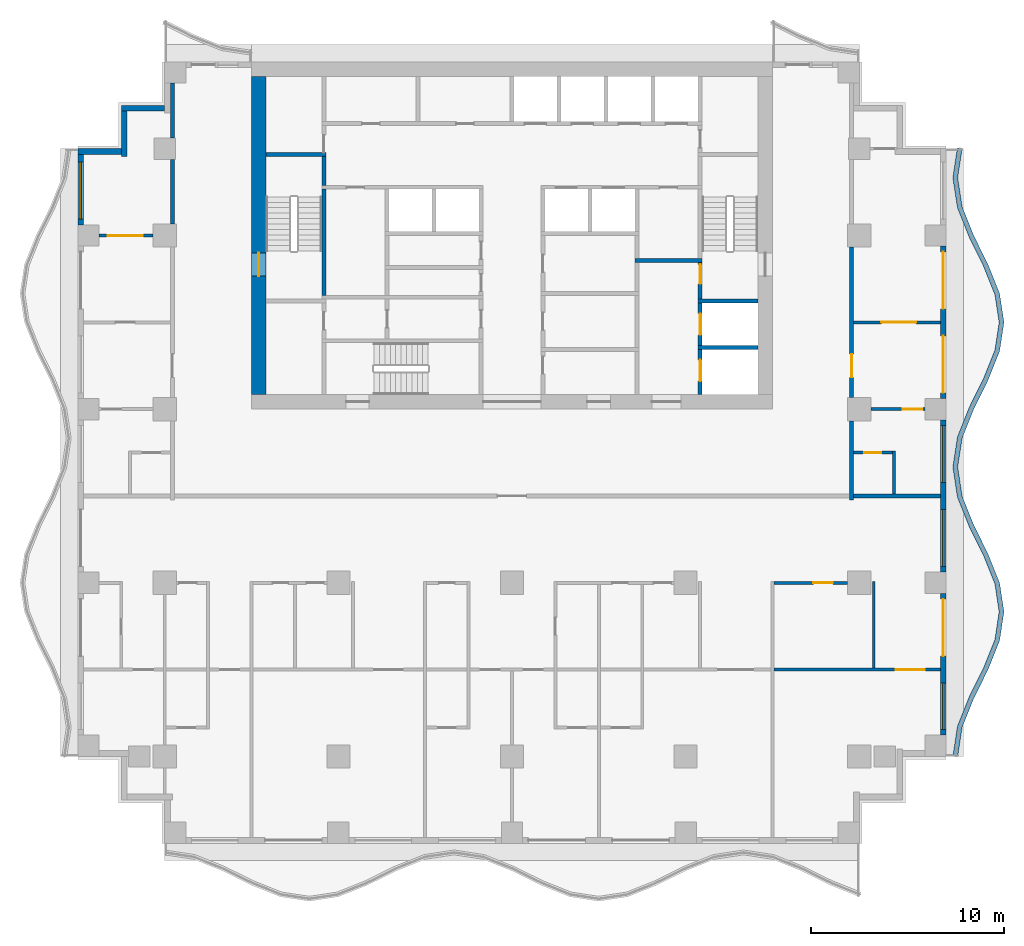
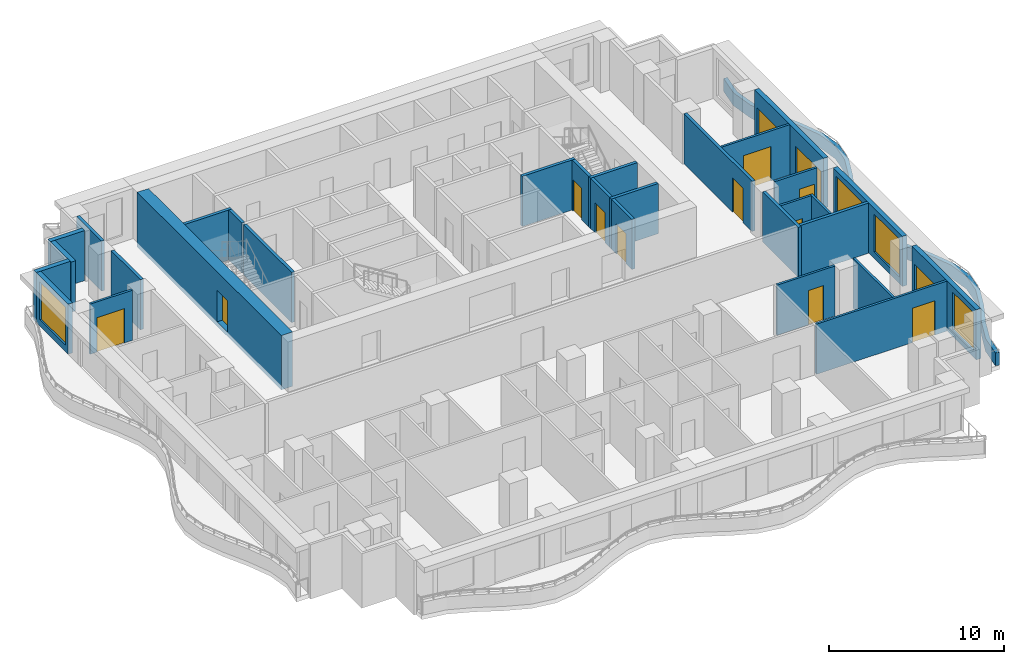
# One storey, part 4 of 10: 31 walls, 14 doors, 4 windows, 18 openings.
"""IFC4 building model written with IfcOpenShell, lengths in metres."""

from ifc_helpers import new_model, si_unit, direction, frame, frame_2d, origin, place, context, subcontext, project, spatial, polyline, rectangle, outline, extrude, material, layer, layer_set, type_object, element, fill, save


model = new_model("IFC4")

# Units and contexts
model_context = context("Model", 3, precision=1e-05, world=origin(), true_north=direction((0.0, 1.0)))
body_context = subcontext(model_context, "Body", "Model", "MODEL_VIEW")
ifc_project = project(units=[si_unit("LENGTHUNIT", "METRE"), si_unit("AREAUNIT", "SQUARE_METRE"), si_unit("VOLUMEUNIT", "CUBIC_METRE"), si_unit("PLANEANGLEUNIT", "RADIAN"), si_unit("MASSUNIT", "GRAM", prefix="KILO")], contexts=[model_context])

# Site, building, storey
site_placement = place(None, origin())
site = spatial("IfcSite", under=ifc_project, at=site_placement, CompositionType="ELEMENT")
building_placement = place(site_placement, origin())
building = spatial("IfcBuilding", under=site, at=building_placement, Name="Orbiselva Terraces", CompositionType="ELEMENT")
storey_placement = place(building_placement, frame((0.0, 0.0, 166.8)))
storey = spatial("IfcBuildingStorey", under=building, at=storey_placement, Name="L42", CompositionType="ELEMENT", Elevation=166.8)

# Wall, opening, door
ifc_material_1 = material(Name="Concrete C80/95", Category="concrete")
ifc_layer_1 = layer(ifc_material_1, 0.75)
ifc_layer_set_1 = layer_set([ifc_layer_1], Name="Concrete C80/95")
wall_type_1 = type_object("IfcWallType", Name="CORE WALL 750", PredefinedType="SHEAR", material=ifc_layer_set_1)
wall_1_placement = place(storey_placement, frame((-13.125, 21.75, -0.3), z_axis=(0.0, 0.0, 1.0), x_axis=(0.0, -1.0, 0.0)))
wall_1 = element("IfcWall", 1, at=wall_1_placement, inside=storey, type_object=wall_type_1, Name="Core wall L42 west", PredefinedType="SHEAR", context=body_context, shape_type="SweptSolid", body=[
    extrude(rectangle(XDim=16.5, YDim=0.75, at=frame_2d((8.25, 0.0))), origin(), (0.0, 0.0, 1.0), 3.8),
])
opening_1_placement = place(wall_1_placement, frame((9.15, 0.0, 0.3)))
opening_1 = element("IfcOpeningElement", 2, at=opening_1_placement, cuts=wall_1, Name="Opening DS1200", PredefinedType="OPENING", context=body_context, shape_type="SweptSolid", body=[
    extrude(rectangle(XDim=1.2, YDim=2.2, at=frame_2d((0.6, 1.1))), frame((0.0, 0.385, 0.0), z_axis=(0.0, -1.0, 0.0), x_axis=(1.0, 0.0, 0.0)), (0.0, 0.0, 1.0), 0.77),
])
ifc_material_2 = material(Name="Steel fire door", Category="steel")
door_type_1 = type_object("IfcDoorType", Name="STAIR DOOR 1200", OperationType="NOTDEFINED", PredefinedType="DOOR", material=ifc_material_2)
door_1_placement = place(opening_1_placement, frame((1.2, 0.0, 0.0), z_axis=(0.0, 0.0, 1.0), x_axis=(-1.0, 0.0, 0.0)))
door_1 = element("IfcDoor", 3, at=door_1_placement, inside=storey, type_object=door_type_1, Name="L42 EXIT STAIR S1 door", OperationType="SINGLE_SWING_RIGHT", OverallHeight=2.2, OverallWidth=1.2, PredefinedType="DOOR", context=body_context, shape_type="SweptSolid", body=[
    extrude(rectangle(XDim=1.2, YDim=2.2, at=frame_2d((0.6, 1.1))), frame((0.0, 0.025, 0.0), z_axis=(0.0, -1.0, 0.0), x_axis=(1.0, 0.0, 0.0)), (0.0, 0.0, 1.0), 0.05),
])
fill(opening_1, door_1)

# Walls
ifc_material_3 = material(Name="Concrete C60/75", Category="concrete")
ifc_layer_2 = layer(ifc_material_3, 0.2)
ifc_layer_set_2 = layer_set([ifc_layer_2], Name="Concrete C60/75")
wall_type_2 = type_object("IfcWallType", Name="CORE-WALL-SHEAR-200", PredefinedType="SHEAR", material=ifc_layer_set_2)
wall_2_placement = place(storey_placement, frame((-12.75, 17.7, 0.0), z_axis=(0.0, 0.0, 1.0), x_axis=(1.0, 0.0, 0.0)))
element("IfcWall", 4, at=wall_2_placement, inside=storey, type_object=wall_type_2, Name="L42 core wall 02", PredefinedType="SHEAR", context=body_context, shape_type="SweptSolid", body=[
    extrude(rectangle(XDim=3.1, YDim=0.2, at=frame_2d((1.55, 0.0))), origin(), (0.0, 0.0, 1.0), 3.5),
])
wall_3_placement = place(storey_placement, frame((-9.75, 10.4, 0.0), z_axis=(0.0, 0.0, 1.0), x_axis=(0.0, 1.0, 0.0)))
element("IfcWall", 5, at=wall_3_placement, inside=storey, type_object=wall_type_2, Name="L42 core wall 07", PredefinedType="SHEAR", context=body_context, shape_type="SweptSolid", body=[
    extrude(rectangle(XDim=5.5, YDim=0.2, at=frame_2d((2.75, 0.0))), origin(), (0.0, 0.0, 1.0), 3.5),
])
wall_4_placement = place(storey_placement, frame((-9.75, 16.1, 0.0), z_axis=(0.0, 0.0, 1.0), x_axis=(0.0, 1.0, 0.0)))
element("IfcWall", 6, at=wall_4_placement, inside=storey, type_object=wall_type_2, Name="L42 core wall 09", PredefinedType="SHEAR", context=body_context, shape_type="SweptSolid", body=[
    extrude(rectangle(XDim=1.5, YDim=0.2, at=frame_2d((0.75, 0.0))), origin(), (0.0, 0.0, 1.0), 3.5),
])
wall_5_placement = place(storey_placement, frame((6.375, 12.2, 0.0), z_axis=(0.0, 0.0, 1.0), x_axis=(1.0, 0.0, 0.0)))
element("IfcWall", 7, at=wall_5_placement, inside=storey, type_object=wall_type_2, Name="L42 core wall 41", PredefinedType="SHEAR", context=body_context, shape_type="SweptSolid", body=[
    extrude(rectangle(XDim=3.475, YDim=0.2, at=frame_2d((1.7375, 0.0))), origin(), (0.0, 0.0, 1.0), 3.5),
])

# Wall, opening, door
wall_6_placement = place(storey_placement, frame((9.75, 5.25, 0.0), z_axis=(0.0, 0.0, 1.0), x_axis=(0.0, 1.0, 0.0)))
wall_6 = element("IfcWall", 8, at=wall_6_placement, inside=storey, type_object=wall_type_2, Name="L42 core wall 45", PredefinedType="SHEAR", context=body_context, shape_type="SweptSolid", body=[
    extrude(rectangle(XDim=2.35, YDim=0.2, at=frame_2d((1.175, 0.0))), origin(), (0.0, 0.0, 1.0), 3.5),
])
opening_2_placement = place(wall_6_placement, frame((0.7, 0.0, 0.0)))
opening_2 = element("IfcOpeningElement", 9, at=opening_2_placement, cuts=wall_6, Name="Opening LD-FF1", PredefinedType="OPENING", context=body_context, shape_type="SweptSolid", body=[
    extrude(rectangle(XDim=1.1, YDim=2.1, at=frame_2d((0.55, 1.05))), frame((0.0, 0.11, 0.0), z_axis=(0.0, -1.0, 0.0), x_axis=(1.0, 0.0, 0.0)), (0.0, 0.0, 1.0), 0.22),
])
ifc_material_4 = material(Name="Stainless steel landing door", Category="steel")
door_type_2 = type_object("IfcDoorType", Name="LANDING DOOR 1100", OperationType="SLIDING_TO_LEFT", PredefinedType="DOOR", material=ifc_material_4)
door_2_placement = place(opening_2_placement, origin())
door_2 = element("IfcDoor", 10, at=door_2_placement, inside=storey, type_object=door_type_2, Name="L42 landing door FF1", OperationType="SLIDING_TO_RIGHT", OverallHeight=2.1, OverallWidth=1.1, PredefinedType="DOOR", context=body_context, shape_type="SweptSolid", body=[
    extrude(rectangle(XDim=1.1, YDim=2.1, at=frame_2d((0.55, 1.05))), frame((0.0, 0.025, 0.0), z_axis=(0.0, -1.0, 0.0), x_axis=(1.0, 0.0, 0.0)), (0.0, 0.0, 1.0), 0.05),
])
fill(opening_2, door_2)

# Wall
wall_7_placement = place(storey_placement, frame((9.65, 7.7, 0.0), z_axis=(0.0, 0.0, 1.0), x_axis=(1.0, 0.0, 0.0)))
element("IfcWall", 11, at=wall_7_placement, inside=storey, type_object=wall_type_2, Name="L42 core wall 46", PredefinedType="SHEAR", context=body_context, shape_type="SweptSolid", body=[
    extrude(rectangle(XDim=3.1, YDim=0.2, at=frame_2d((1.55, 0.0))), origin(), (0.0, 0.0, 1.0), 3.5),
])

# Wall, opening, door
wall_8_placement = place(storey_placement, frame((9.75, 7.8, 0.0), z_axis=(0.0, 0.0, 1.0), x_axis=(0.0, 1.0, 0.0)))
wall_8 = element("IfcWall", 12, at=wall_8_placement, inside=storey, type_object=wall_type_2, Name="L42 core wall 47", PredefinedType="SHEAR", context=body_context, shape_type="SweptSolid", body=[
    extrude(rectangle(XDim=2.2, YDim=0.2, at=frame_2d((1.1, 0.0))), origin(), (0.0, 0.0, 1.0), 3.5),
])
opening_3_placement = place(wall_8_placement, frame((0.55, 0.0, 0.0)))
opening_3 = element("IfcOpeningElement", 13, at=opening_3_placement, cuts=wall_8, Name="Opening LD-FF2", PredefinedType="OPENING", context=body_context, shape_type="SweptSolid", body=[
    extrude(rectangle(XDim=1.1, YDim=2.1, at=frame_2d((0.55, 1.05))), frame((0.0, 0.11, 0.0), z_axis=(0.0, -1.0, 0.0), x_axis=(1.0, 0.0, 0.0)), (0.0, 0.0, 1.0), 0.22),
])
door_3_placement = place(opening_3_placement, origin())
door_3 = element("IfcDoor", 14, at=door_3_placement, inside=storey, type_object=door_type_2, Name="L42 landing door FF2", OperationType="SLIDING_TO_RIGHT", OverallHeight=2.1, OverallWidth=1.1, PredefinedType="DOOR", context=body_context, shape_type="SweptSolid", body=[
    extrude(rectangle(XDim=1.1, YDim=2.1, at=frame_2d((0.55, 1.05))), frame((0.0, 0.025, 0.0), z_axis=(0.0, -1.0, 0.0), x_axis=(1.0, 0.0, 0.0)), (0.0, 0.0, 1.0), 0.05),
])
fill(opening_3, door_3)

# Wall
wall_9_placement = place(storey_placement, frame((9.65, 10.1, 0.0), z_axis=(0.0, 0.0, 1.0), x_axis=(1.0, 0.0, 0.0)))
element("IfcWall", 15, at=wall_9_placement, inside=storey, type_object=wall_type_2, Name="L42 core wall 48", PredefinedType="SHEAR", context=body_context, shape_type="SweptSolid", body=[
    extrude(rectangle(XDim=3.1, YDim=0.2, at=frame_2d((1.55, 0.0))), origin(), (0.0, 0.0, 1.0), 3.5),
])

# Wall, opening, door
wall_10_placement = place(storey_placement, frame((9.75, 12.1, 0.0), z_axis=(0.0, 0.0, 1.0), x_axis=(0.0, -1.0, 0.0)))
wall_10 = element("IfcWall", 16, at=wall_10_placement, inside=storey, type_object=wall_type_2, Name="L42 core wall 49", PredefinedType="SHEAR", context=body_context, shape_type="SweptSolid", body=[
    extrude(rectangle(XDim=1.9, YDim=0.2, at=frame_2d((0.95, 0.0))), origin(), (0.0, 0.0, 1.0), 3.5),
])
opening_4_placement = place(wall_10_placement, frame((0.1, 0.0, 0.0)))
opening_4 = element("IfcOpeningElement", 17, at=opening_4_placement, cuts=wall_10, Name="Opening DS1000", PredefinedType="OPENING", context=body_context, shape_type="SweptSolid", body=[
    extrude(rectangle(XDim=1.0, YDim=2.2, at=frame_2d((0.5, 1.1))), frame((0.0, 0.11, 0.0), z_axis=(0.0, -1.0, 0.0), x_axis=(1.0, 0.0, 0.0)), (0.0, 0.0, 1.0), 0.22),
])
door_type_3 = type_object("IfcDoorType", Name="STAIR DOOR 1000", OperationType="NOTDEFINED", PredefinedType="DOOR", material=ifc_material_2)
door_4_placement = place(opening_4_placement, origin())
door_4 = element("IfcDoor", 18, at=door_4_placement, inside=storey, type_object=door_type_3, Name="L42 FIRE-FIGHTING LOBBY TO EXIT STAIR S2 door", OperationType="SINGLE_SWING_LEFT", OverallHeight=2.2, OverallWidth=1.0, PredefinedType="DOOR", context=body_context, shape_type="SweptSolid", body=[
    extrude(rectangle(XDim=1.0, YDim=2.2, at=frame_2d((0.5, 1.1))), frame((0.0, 0.025, 0.0), z_axis=(0.0, -1.0, 0.0), x_axis=(1.0, 0.0, 0.0)), (0.0, 0.0, 1.0), 0.05),
])
fill(opening_4, door_4)

# Wall
ifc_material_5 = material(Name="Concrete C40/50", Category="concrete")
ifc_layer_3 = layer(ifc_material_5, 0.25)
ifc_layer_set_3 = layer_set([ifc_layer_3], Name="Concrete C40/50")
wall_type_3 = type_object("IfcWallType", Name="ENV-PLANTER-250x900", PredefinedType="USERDEFINED", material=ifc_layer_set_3)
wall_11_placement = place(storey_placement, origin())
element("IfcWall", 19, at=wall_11_placement, inside=storey, type_object=wall_type_3, Name="Balcony planter L42 E", ObjectType="PLANTER", PredefinedType="USERDEFINED", context=body_context, shape_type="SweptSolid", body=[
    extrude(outline(polyline([(23.1, -13.5), (23.32918, -12.0), (23.92918, -10.5), (24.67082, -9.0), (25.27082, -7.5), (25.5, -6.0), (25.27082, -4.5), (24.67082, -3.0), (23.92918, -1.5), (23.32918, 0.0), (23.1, 1.5), (23.32918, 3.0), (23.92918, 4.5), (24.67082, 6.0), (25.27082, 7.5), (25.5, 9.0), (25.27082, 10.5), (24.67082, 12.0), (23.92918, 13.5), (23.32918, 15.0), (23.1, 16.5), (23.32918, 18.0), (23.082048, 18.037758), (22.847099, 16.5), (23.086388, 14.933834), (23.700715, 13.398017), (24.442355, 11.898017), (25.028028, 10.433834), (25.247099, 9.0), (25.028028, 7.566166), (24.442355, 6.101983), (23.700715, 4.601983), (23.086388, 3.066166), (22.847099, 1.5), (23.086388, -0.066166), (23.700715, -1.601983), (24.442355, -3.101983), (25.028028, -4.566166), (25.247099, -6.0), (25.028028, -7.433834), (24.442355, -8.898017), (23.700715, -10.398017), (23.086388, -11.933834), (22.852868, -13.462242), (23.1, -13.5)])), origin(), (0.0, 0.0, 1.0), 0.9),
])

# Wall, openings, door, window
ifc_material_6 = material(Name="Terracotta cladding on masonry backing", Category="masonry")
ifc_layer_4 = layer(ifc_material_6, 0.3)
ifc_layer_set_4 = layer_set([ifc_layer_4], Name="Terracotta cladding on masonry backing")
wall_type_4 = type_object("IfcWallType", Name="ENV-WALL-TERRACOTTA-300", PredefinedType="SOLIDWALL", material=ifc_layer_set_4)
wall_12_placement = place(storey_placement, frame((22.35, -5.05, 0.0), z_axis=(0.0, 0.0, 1.0), x_axis=(0.0, -1.0, 0.0)))
wall_12 = element("IfcWall", 20, at=wall_12_placement, inside=storey, type_object=wall_type_4, Name="Facade wall L42 E", PredefinedType="SOLIDWALL", context=body_context, shape_type="SweptSolid", body=[
    extrude(rectangle(XDim=7.35, YDim=0.3, at=frame_2d((3.675, 0.0))), origin(), (0.0, 0.0, 1.0), 3.5),
])
opening_5_placement = place(wall_12_placement, frame((4.65, 0.0, 0.45)))
opening_5 = element("IfcOpeningElement", 21, at=opening_5_placement, cuts=wall_12, Name="Opening WN11", PredefinedType="OPENING", context=body_context, shape_type="SweptSolid", body=[
    extrude(rectangle(XDim=2.4, YDim=2.65, at=frame_2d((1.2, 1.325))), frame((0.0, 0.16, 0.0), z_axis=(0.0, -1.0, 0.0), x_axis=(1.0, 0.0, 0.0)), (0.0, 0.0, 1.0), 0.32),
])
opening_6_placement = place(wall_12_placement, frame((0.3, 0.0, 0.0)))
opening_6 = element("IfcOpeningElement", 22, at=opening_6_placement, cuts=wall_12, Name="Opening Z3-E-E04", PredefinedType="OPENING", context=body_context, shape_type="SweptSolid", body=[
    extrude(rectangle(XDim=2.95, YDim=2.4, at=frame_2d((1.475, 1.2))), frame((0.0, 0.16, 0.0), z_axis=(0.0, -1.0, 0.0), x_axis=(1.0, 0.0, 0.0)), (0.0, 0.0, 1.0), 0.32),
])
ifc_material_7 = material(Name="Clear low-e glazing in aluminium frame", Category="aluminium")
door_type_4 = type_object("IfcDoorType", Name="BALCONY DOOR 2950 X 2400", OperationType="DOUBLE_DOOR_SLIDING", PredefinedType="DOOR", material=ifc_material_7)
door_5_placement = place(opening_6_placement, origin())
door_5 = element("IfcDoor", 23, at=door_5_placement, inside=storey, type_object=door_type_4, Name="Z3-E-E04", OperationType="SINGLE_SWING_LEFT", OverallHeight=2.4, OverallWidth=2.95, PredefinedType="DOOR", context=body_context, shape_type="SweptSolid", body=[
    extrude(rectangle(XDim=2.95, YDim=2.4, at=frame_2d((1.475, 1.2))), frame((0.0, 0.025, 0.0), z_axis=(0.0, -1.0, 0.0), x_axis=(1.0, 0.0, 0.0)), (0.0, 0.0, 1.0), 0.05),
])
fill(opening_6, door_5)
window_type_1 = type_object("IfcWindowType", Name="WINDOW 2400 X 2650 S450", PartitioningType="TRIPLE_PANEL_VERTICAL", PredefinedType="WINDOW", material=ifc_material_7)
window_1_placement = place(opening_5_placement, origin())
window_1 = element("IfcWindow", 24, at=window_1_placement, inside=storey, type_object=window_type_1, Name="Window L42 E", OverallHeight=2.65, OverallWidth=2.4, PartitioningType="SINGLE_PANEL", PredefinedType="WINDOW", context=body_context, shape_type="SweptSolid", body=[
    extrude(rectangle(XDim=2.4, YDim=2.65, at=frame_2d((1.2, 1.325))), frame((0.0, 0.03, 0.0), z_axis=(0.0, -1.0, 0.0), x_axis=(1.0, 0.0, 0.0)), (0.0, 0.0, 1.0), 0.06),
])
fill(opening_5, window_1)

# Wall, openings, windows
wall_13_placement = place(storey_placement, frame((22.35, 3.95, 0.0), z_axis=(0.0, 0.0, 1.0), x_axis=(0.0, -1.0, 0.0)))
wall_13 = element("IfcWall", 25, at=wall_13_placement, inside=storey, type_object=wall_type_4, Name="Facade wall L42 E", PredefinedType="SOLIDWALL", context=body_context, shape_type="SweptSolid", body=[
    extrude(rectangle(XDim=7.9, YDim=0.3, at=frame_2d((3.95, 0.0))), origin(), (0.0, 0.0, 1.0), 3.5),
])
opening_7_placement = place(wall_13_placement, frame((4.65, 0.0, 0.45)))
opening_7 = element("IfcOpeningElement", 26, at=opening_7_placement, cuts=wall_13, Name="Opening WN12", PredefinedType="OPENING", context=body_context, shape_type="SweptSolid", body=[
    extrude(rectangle(XDim=2.95, YDim=2.65, at=frame_2d((1.475, 1.325))), frame((0.0, 0.16, 0.0), z_axis=(0.0, -1.0, 0.0), x_axis=(1.0, 0.0, 0.0)), (0.0, 0.0, 1.0), 0.32),
])
opening_8_placement = place(wall_13_placement, frame((0.3, 0.0, 0.45)))
opening_8 = element("IfcOpeningElement", 27, at=opening_8_placement, cuts=wall_13, Name="Opening WN12", PredefinedType="OPENING", context=body_context, shape_type="SweptSolid", body=[
    extrude(rectangle(XDim=2.95, YDim=2.65, at=frame_2d((1.475, 1.325))), frame((0.0, 0.16, 0.0), z_axis=(0.0, -1.0, 0.0), x_axis=(1.0, 0.0, 0.0)), (0.0, 0.0, 1.0), 0.32),
])
window_type_2 = type_object("IfcWindowType", Name="WINDOW 2950 X 2650 S450", PartitioningType="TRIPLE_PANEL_VERTICAL", PredefinedType="WINDOW", material=ifc_material_7)
window_2_placement = place(opening_7_placement, origin())
window_2 = element("IfcWindow", 28, at=window_2_placement, inside=storey, type_object=window_type_2, Name="Window L42 E", OverallHeight=2.65, OverallWidth=2.95, PartitioningType="SINGLE_PANEL", PredefinedType="WINDOW", context=body_context, shape_type="SweptSolid", body=[
    extrude(rectangle(XDim=2.95, YDim=2.65, at=frame_2d((1.475, 1.325))), frame((0.0, 0.03, 0.0), z_axis=(0.0, -1.0, 0.0), x_axis=(1.0, 0.0, 0.0)), (0.0, 0.0, 1.0), 0.06),
])
fill(opening_7, window_2)
window_3_placement = place(opening_8_placement, origin())
window_3 = element("IfcWindow", 29, at=window_3_placement, inside=storey, type_object=window_type_2, Name="Window L42 E", OverallHeight=2.65, OverallWidth=2.95, PartitioningType="SINGLE_PANEL", PredefinedType="WINDOW", context=body_context, shape_type="SweptSolid", body=[
    extrude(rectangle(XDim=2.95, YDim=2.65, at=frame_2d((1.475, 1.325))), frame((0.0, 0.03, 0.0), z_axis=(0.0, -1.0, 0.0), x_axis=(1.0, 0.0, 0.0)), (0.0, 0.0, 1.0), 0.06),
])
fill(opening_8, window_3)

# Wall, openings, doors
wall_14_placement = place(storey_placement, frame((22.35, 12.95, 0.0), z_axis=(0.0, 0.0, 1.0), x_axis=(0.0, -1.0, 0.0)))
wall_14 = element("IfcWall", 30, at=wall_14_placement, inside=storey, type_object=wall_type_4, Name="Facade wall L42 E", PredefinedType="SOLIDWALL", context=body_context, shape_type="SweptSolid", body=[
    extrude(rectangle(XDim=7.9, YDim=0.3, at=frame_2d((3.95, 0.0))), origin(), (0.0, 0.0, 1.0), 3.5),
])
opening_9_placement = place(wall_14_placement, frame((4.65, 0.0, 0.0)))
opening_9 = element("IfcOpeningElement", 31, at=opening_9_placement, cuts=wall_14, Name="Opening Z3-E-E05", PredefinedType="OPENING", context=body_context, shape_type="SweptSolid", body=[
    extrude(rectangle(XDim=2.95, YDim=2.4, at=frame_2d((1.475, 1.2))), frame((0.0, 0.16, 0.0), z_axis=(0.0, -1.0, 0.0), x_axis=(1.0, 0.0, 0.0)), (0.0, 0.0, 1.0), 0.32),
])
opening_10_placement = place(wall_14_placement, frame((0.3, 0.0, 0.0)))
opening_10 = element("IfcOpeningElement", 32, at=opening_10_placement, cuts=wall_14, Name="Opening Z3-E-E06", PredefinedType="OPENING", context=body_context, shape_type="SweptSolid", body=[
    extrude(rectangle(XDim=2.95, YDim=2.4, at=frame_2d((1.475, 1.2))), frame((0.0, 0.16, 0.0), z_axis=(0.0, -1.0, 0.0), x_axis=(1.0, 0.0, 0.0)), (0.0, 0.0, 1.0), 0.32),
])
door_6_placement = place(opening_9_placement, origin())
door_6 = element("IfcDoor", 33, at=door_6_placement, inside=storey, type_object=door_type_4, Name="Z3-E-E05", OperationType="SINGLE_SWING_LEFT", OverallHeight=2.4, OverallWidth=2.95, PredefinedType="DOOR", context=body_context, shape_type="SweptSolid", body=[
    extrude(rectangle(XDim=2.95, YDim=2.4, at=frame_2d((1.475, 1.2))), frame((0.0, 0.025, 0.0), z_axis=(0.0, -1.0, 0.0), x_axis=(1.0, 0.0, 0.0)), (0.0, 0.0, 1.0), 0.05),
])
fill(opening_9, door_6)
door_7_placement = place(opening_10_placement, origin())
door_7 = element("IfcDoor", 34, at=door_7_placement, inside=storey, type_object=door_type_4, Name="Z3-E-E06", OperationType="SINGLE_SWING_LEFT", OverallHeight=2.4, OverallWidth=2.95, PredefinedType="DOOR", context=body_context, shape_type="SweptSolid", body=[
    extrude(rectangle(XDim=2.95, YDim=2.4, at=frame_2d((1.475, 1.2))), frame((0.0, 0.025, 0.0), z_axis=(0.0, -1.0, 0.0), x_axis=(1.0, 0.0, 0.0)), (0.0, 0.0, 1.0), 0.05),
])
fill(opening_10, door_7)

# Walls
wall_15_placement = place(storey_placement, frame((-20.25, 20.1, 0.0), z_axis=(0.0, 0.0, 1.0), x_axis=(1.0, 0.0, 0.0)))
element("IfcWall", 35, at=wall_15_placement, inside=storey, type_object=wall_type_4, Name="Facade wall L42 STEP", PredefinedType="SOLIDWALL", context=body_context, shape_type="SweptSolid", body=[
    extrude(rectangle(XDim=2.25, YDim=0.3, at=frame_2d((1.125, 0.0))), origin(), (0.0, 0.0, 1.0), 3.5),
])
wall_16_placement = place(storey_placement, frame((-20.1, 17.6, 0.0), z_axis=(0.0, 0.0, 1.0), x_axis=(0.0, 1.0, 0.0)))
element("IfcWall", 36, at=wall_16_placement, inside=storey, type_object=wall_type_4, Name="Facade wall L42 STEP", PredefinedType="SOLIDWALL", context=body_context, shape_type="SweptSolid", body=[
    extrude(rectangle(XDim=2.35, YDim=0.3, at=frame_2d((1.175, 0.0))), origin(), (0.0, 0.0, 1.0), 3.5),
])
wall_17_placement = place(storey_placement, frame((-22.5, 17.85, 0.0), z_axis=(0.0, 0.0, 1.0), x_axis=(1.0, 0.0, 0.0)))
element("IfcWall", 37, at=wall_17_placement, inside=storey, type_object=wall_type_4, Name="Facade wall L42 STEP", PredefinedType="SOLIDWALL", context=body_context, shape_type="SweptSolid", body=[
    extrude(rectangle(XDim=2.25, YDim=0.3, at=frame_2d((1.125, 0.0))), origin(), (0.0, 0.0, 1.0), 3.5),
])

# Wall, opening, window
wall_18_placement = place(storey_placement, frame((-22.35, 14.05, 0.0), z_axis=(0.0, 0.0, 1.0), x_axis=(0.0, 1.0, 0.0)))
wall_18 = element("IfcWall", 38, at=wall_18_placement, inside=storey, type_object=wall_type_4, Name="Facade wall L42 W", PredefinedType="SOLIDWALL", context=body_context, shape_type="SweptSolid", body=[
    extrude(rectangle(XDim=3.65, YDim=0.3, at=frame_2d((1.825, 0.0))), origin(), (0.0, 0.0, 1.0), 3.5),
])
opening_11_placement = place(wall_18_placement, frame((0.3, 0.0, 0.45)))
opening_11 = element("IfcOpeningElement", 39, at=opening_11_placement, cuts=wall_18, Name="Opening WN12", PredefinedType="OPENING", context=body_context, shape_type="SweptSolid", body=[
    extrude(rectangle(XDim=2.95, YDim=2.65, at=frame_2d((1.475, 1.325))), frame((0.0, 0.16, 0.0), z_axis=(0.0, -1.0, 0.0), x_axis=(1.0, 0.0, 0.0)), (0.0, 0.0, 1.0), 0.32),
])
window_4_placement = place(opening_11_placement, origin())
window_4 = element("IfcWindow", 40, at=window_4_placement, inside=storey, type_object=window_type_2, Name="Window L42 W", OverallHeight=2.65, OverallWidth=2.95, PartitioningType="SINGLE_PANEL", PredefinedType="WINDOW", context=body_context, shape_type="SweptSolid", body=[
    extrude(rectangle(XDim=2.95, YDim=2.65, at=frame_2d((1.475, 1.325))), frame((0.0, 0.03, 0.0), z_axis=(0.0, -1.0, 0.0), x_axis=(1.0, 0.0, 0.0)), (0.0, 0.0, 1.0), 0.06),
])
fill(opening_11, window_4)

# Walls
ifc_material_8 = material(Name="Plasterboard on steel stud partition", Category="steel")
ifc_layer_5 = layer(ifc_material_8, 0.2)
ifc_layer_set_5 = layer_set([ifc_layer_5], Name="Plasterboard on steel stud partition")
wall_type_5 = type_object("IfcWallType", Name="UNIT-ENTRANCE-WALL-200", PredefinedType="PARTITIONING", material=ifc_layer_set_5)
wall_19_placement = place(storey_placement, frame((-17.6, 14.1, 0.0), z_axis=(0.0, 0.0, 1.0), x_axis=(0.0, 1.0, 0.0)))
element("IfcWall", 41, at=wall_19_placement, inside=storey, type_object=wall_type_5, Name="PARTITION L42-038", PredefinedType="PARTITIONING", context=body_context, shape_type="SweptSolid", body=[
    extrude(rectangle(XDim=3.35, YDim=0.2, at=frame_2d((1.675, 0.0))), origin(), (0.0, 0.0, 1.0), 3.5),
])
wall_20_placement = place(storey_placement, frame((-17.6, 18.55, 0.0), z_axis=(0.0, 0.0, 1.0), x_axis=(0.0, 1.0, 0.0)))
element("IfcWall", 42, at=wall_20_placement, inside=storey, type_object=wall_type_5, Name="PARTITION L42-039", PredefinedType="PARTITIONING", context=body_context, shape_type="SweptSolid", body=[
    extrude(rectangle(XDim=2.85, YDim=0.2, at=frame_2d((1.425, 0.0))), origin(), (0.0, 0.0, 1.0), 3.5),
])
wall_21_placement = place(storey_placement, frame((17.6, -0.2, 0.0), z_axis=(0.0, 0.0, 1.0), x_axis=(0.0, 1.0, 0.0)))
element("IfcWall", 43, at=wall_21_placement, inside=storey, type_object=wall_type_5, Name="PARTITION L42-053", PredefinedType="PARTITIONING", context=body_context, shape_type="SweptSolid", body=[
    extrude(rectangle(XDim=4.1, YDim=0.2, at=frame_2d((2.05, 0.0))), origin(), (0.0, 0.0, 1.0), 3.5),
])

# Wall, opening, door
wall_22_placement = place(storey_placement, frame((17.6, 12.9, 0.0), z_axis=(0.0, 0.0, 1.0), x_axis=(0.0, -1.0, 0.0)))
wall_22 = element("IfcWall", 44, at=wall_22_placement, inside=storey, type_object=wall_type_5, Name="PARTITION L42-054", PredefinedType="PARTITIONING", context=body_context, shape_type="SweptSolid", body=[
    extrude(rectangle(XDim=7.8, YDim=0.2, at=frame_2d((3.9, 0.0))), origin(), (0.0, 0.0, 1.0), 3.5),
])
opening_12_placement = place(wall_22_placement, frame((5.55, 0.0, 0.0)))
opening_12 = element("IfcOpeningElement", 45, at=opening_12_placement, cuts=wall_22, Name="Opening Z3-E-08", PredefinedType="OPENING", context=body_context, shape_type="SweptSolid", body=[
    extrude(rectangle(XDim=1.2, YDim=2.4, at=frame_2d((0.6, 1.2))), frame((0.0, 0.11, 0.0), z_axis=(0.0, -1.0, 0.0), x_axis=(1.0, 0.0, 0.0)), (0.0, 0.0, 1.0), 0.22),
])
ifc_material_9 = material(Name="Painted timber door leaf", Category="wood")
door_type_5 = type_object("IfcDoorType", Name="ENTRANCE DOOR 1200", OperationType="NOTDEFINED", PredefinedType="DOOR", material=ifc_material_9)
door_8_placement = place(opening_12_placement, origin())
door_8 = element("IfcDoor", 46, at=door_8_placement, inside=storey, type_object=door_type_5, Name="Z3-E-08", OperationType="SINGLE_SWING_RIGHT", OverallHeight=2.4, OverallWidth=1.2, PredefinedType="DOOR", context=body_context, shape_type="SweptSolid", body=[
    extrude(rectangle(XDim=1.2, YDim=2.4, at=frame_2d((0.6, 1.2))), frame((0.0, 0.025, 0.0), z_axis=(0.0, -1.0, 0.0), x_axis=(1.0, 0.0, 0.0)), (0.0, 0.0, 1.0), 0.05),
])
fill(opening_12, door_8)

ifc_layer_6 = layer(ifc_material_8, 0.15)
ifc_layer_set_6 = layer_set([ifc_layer_6], Name="Plasterboard on steel stud partition")
wall_type_6 = type_object("IfcWallType", Name="UNIT-PARTITION-150", PredefinedType="PARTITIONING", material=ifc_layer_set_6)
wall_23_placement = place(storey_placement, frame((22.2, -9.0, 0.0), z_axis=(0.0, 0.0, 1.0), x_axis=(-1.0, 0.0, 0.0)))
wall_23 = element("IfcWall", 47, at=wall_23_placement, inside=storey, type_object=wall_type_6, Name="PARTITION L42-014", PredefinedType="PARTITIONING", context=body_context, shape_type="SweptSolid", body=[
    extrude(rectangle(XDim=8.625, YDim=0.15, at=frame_2d((4.3125, 0.0))), origin(), (0.0, 0.0, 1.0), 3.5),
])
opening_13_placement = place(wall_23_placement, frame((0.8, 0.0, 0.0)))
opening_13 = element("IfcOpeningElement", 48, at=opening_13_placement, cuts=wall_23, Name="Opening Z3-E-21", PredefinedType="OPENING", context=body_context, shape_type="SweptSolid", body=[
    extrude(rectangle(XDim=1.5, YDim=2.4, at=frame_2d((0.75, 1.2))), frame((0.0, 0.085, 0.0), z_axis=(0.0, -1.0, 0.0), x_axis=(1.0, 0.0, 0.0)), (0.0, 0.0, 1.0), 0.17),
])
door_type_6 = type_object("IfcDoorType", Name="DOUBLE DOOR 1500", OperationType="NOTDEFINED", PredefinedType="DOOR", material=ifc_material_9)
door_9_placement = place(opening_13_placement, origin())
door_9 = element("IfcDoor", 49, at=door_9_placement, inside=storey, type_object=door_type_6, Name="Z3-E-21", OperationType="DOUBLE_DOOR_SINGLE_SWING", OverallHeight=2.4, OverallWidth=1.5, PredefinedType="DOOR", context=body_context, shape_type="SweptSolid", body=[
    extrude(rectangle(XDim=1.5, YDim=2.4, at=frame_2d((0.75, 1.2))), frame((0.0, 0.025, 0.0), z_axis=(0.0, -1.0, 0.0), x_axis=(1.0, 0.0, 0.0)), (0.0, 0.0, 1.0), 0.05),
])
fill(opening_13, door_9)

wall_24_placement = place(storey_placement, frame((17.4, -4.5, 0.0), z_axis=(0.0, 0.0, 1.0), x_axis=(-1.0, 0.0, 0.0)))
wall_24 = element("IfcWall", 50, at=wall_24_placement, inside=storey, type_object=wall_type_6, Name="PARTITION L42-020", PredefinedType="PARTITIONING", context=body_context, shape_type="SweptSolid", body=[
    extrude(rectangle(XDim=3.825, YDim=0.15, at=frame_2d((1.9125, 0.0))), origin(), (0.0, 0.0, 1.0), 3.5),
])
opening_14_placement = place(wall_24_placement, frame((0.775, 0.0, 0.0)))
opening_14 = element("IfcOpeningElement", 51, at=opening_14_placement, cuts=wall_24, Name="Opening Z3-E-12", PredefinedType="OPENING", context=body_context, shape_type="SweptSolid", body=[
    extrude(rectangle(XDim=1.0, YDim=2.4, at=frame_2d((0.5, 1.2))), frame((0.0, 0.085, 0.0), z_axis=(0.0, -1.0, 0.0), x_axis=(1.0, 0.0, 0.0)), (0.0, 0.0, 1.0), 0.17),
])
door_type_7 = type_object("IfcDoorType", Name="ROOM DOOR 1000", OperationType="NOTDEFINED", PredefinedType="DOOR", material=ifc_material_9)
door_10_placement = place(opening_14_placement, origin())
door_10 = element("IfcDoor", 52, at=door_10_placement, inside=storey, type_object=door_type_7, Name="Z3-E-12", OperationType="SINGLE_SWING_LEFT", OverallHeight=2.4, OverallWidth=1.0, PredefinedType="DOOR", context=body_context, shape_type="SweptSolid", body=[
    extrude(rectangle(XDim=1.0, YDim=2.4, at=frame_2d((0.5, 1.2))), frame((0.0, 0.025, 0.0), z_axis=(0.0, -1.0, 0.0), x_axis=(1.0, 0.0, 0.0)), (0.0, 0.0, 1.0), 0.05),
])
fill(opening_14, door_10)

wall_25_placement = place(storey_placement, frame((19.73, 2.25, 0.0), z_axis=(0.0, 0.0, 1.0), x_axis=(-1.0, 0.0, 0.0)))
wall_25 = element("IfcWall", 53, at=wall_25_placement, inside=storey, type_object=wall_type_6, Name="PARTITION L42-025", PredefinedType="PARTITIONING", context=body_context, shape_type="SweptSolid", body=[
    extrude(rectangle(XDim=2.03, YDim=0.15, at=frame_2d((1.015, 0.0))), origin(), (0.0, 0.0, 1.0), 3.5),
])
opening_15_placement = place(wall_25_placement, frame((0.58, 0.0, 0.0)))
opening_15 = element("IfcOpeningElement", 54, at=opening_15_placement, cuts=wall_25, Name="Opening Z3-E-07", PredefinedType="OPENING", context=body_context, shape_type="SweptSolid", body=[
    extrude(rectangle(XDim=0.9, YDim=2.1, at=frame_2d((0.45, 1.05))), frame((0.0, 0.085, 0.0), z_axis=(0.0, -1.0, 0.0), x_axis=(1.0, 0.0, 0.0)), (0.0, 0.0, 1.0), 0.17),
])
door_type_8 = type_object("IfcDoorType", Name="BATH DOOR 900", OperationType="NOTDEFINED", PredefinedType="DOOR", material=ifc_material_9)
door_11_placement = place(opening_15_placement, origin())
door_11 = element("IfcDoor", 55, at=door_11_placement, inside=storey, type_object=door_type_8, Name="Z3-E-07", OperationType="SINGLE_SWING_RIGHT", OverallHeight=2.1, OverallWidth=0.9, PredefinedType="DOOR", context=body_context, shape_type="SweptSolid", body=[
    extrude(rectangle(XDim=0.9, YDim=2.1, at=frame_2d((0.45, 1.05))), frame((0.0, 0.025, 0.0), z_axis=(0.0, -1.0, 0.0), x_axis=(1.0, 0.0, 0.0)), (0.0, 0.0, 1.0), 0.05),
])
fill(opening_15, door_11)

wall_26_placement = place(storey_placement, frame((21.4, 4.5, 0.0), z_axis=(0.0, 0.0, 1.0), x_axis=(-1.0, 0.0, 0.0)))
wall_26 = element("IfcWall", 56, at=wall_26_placement, inside=storey, type_object=wall_type_6, Name="PARTITION L42-027", PredefinedType="PARTITIONING", context=body_context, shape_type="SweptSolid", body=[
    extrude(rectangle(XDim=2.8, YDim=0.15, at=frame_2d((1.4, 0.0))), origin(), (0.0, 0.0, 1.0), 3.5),
])
opening_16_placement = place(wall_26_placement, frame((0.15, 0.0, 0.0)))
opening_16 = element("IfcOpeningElement", 57, at=opening_16_placement, cuts=wall_26, Name="Opening Z3-E-06", PredefinedType="OPENING", context=body_context, shape_type="SweptSolid", body=[
    extrude(rectangle(XDim=1.0, YDim=2.4, at=frame_2d((0.5, 1.2))), frame((0.0, 0.085, 0.0), z_axis=(0.0, -1.0, 0.0), x_axis=(1.0, 0.0, 0.0)), (0.0, 0.0, 1.0), 0.17),
])
door_12_placement = place(opening_16_placement, origin())
door_12 = element("IfcDoor", 58, at=door_12_placement, inside=storey, type_object=door_type_7, Name="Z3-E-06", OperationType="SINGLE_SWING_LEFT", OverallHeight=2.4, OverallWidth=1.0, PredefinedType="DOOR", context=body_context, shape_type="SweptSolid", body=[
    extrude(rectangle(XDim=1.0, YDim=2.4, at=frame_2d((0.5, 1.2))), frame((0.0, 0.025, 0.0), z_axis=(0.0, -1.0, 0.0), x_axis=(1.0, 0.0, 0.0)), (0.0, 0.0, 1.0), 0.05),
])
fill(opening_16, door_12)

wall_27_placement = place(storey_placement, frame((17.7, 9.0, 0.0), z_axis=(0.0, 0.0, 1.0), x_axis=(1.0, 0.0, 0.0)))
wall_27 = element("IfcWall", 59, at=wall_27_placement, inside=storey, type_object=wall_type_6, Name="PARTITION L42-029", PredefinedType="PARTITIONING", context=body_context, shape_type="SweptSolid", body=[
    extrude(rectangle(XDim=4.5, YDim=0.15, at=frame_2d((2.25, 0.0))), origin(), (0.0, 0.0, 1.0), 3.5),
])
opening_17_placement = place(wall_27_placement, frame((1.45, 0.0, 0.0)))
opening_17 = element("IfcOpeningElement", 60, at=opening_17_placement, cuts=wall_27, Name="Opening Z3-E-09", PredefinedType="OPENING", context=body_context, shape_type="SweptSolid", body=[
    extrude(rectangle(XDim=1.8, YDim=2.4, at=frame_2d((0.9, 1.2))), frame((0.0, 0.085, 0.0), z_axis=(0.0, -1.0, 0.0), x_axis=(1.0, 0.0, 0.0)), (0.0, 0.0, 1.0), 0.17),
])
door_type_9 = type_object("IfcDoorType", Name="DOUBLE DOOR 1800", OperationType="NOTDEFINED", PredefinedType="DOOR", material=ifc_material_9)
door_13_placement = place(opening_17_placement, origin())
door_13 = element("IfcDoor", 61, at=door_13_placement, inside=storey, type_object=door_type_9, Name="Z3-E-09", OperationType="DOUBLE_DOOR_SINGLE_SWING", OverallHeight=2.4, OverallWidth=1.8, PredefinedType="DOOR", context=body_context, shape_type="SweptSolid", body=[
    extrude(rectangle(XDim=1.8, YDim=2.4, at=frame_2d((0.9, 1.2))), frame((0.0, 0.025, 0.0), z_axis=(0.0, -1.0, 0.0), x_axis=(1.0, 0.0, 0.0)), (0.0, 0.0, 1.0), 0.05),
])
fill(opening_17, door_13)

wall_28_placement = place(storey_placement, frame((-21.4, 13.5, 0.0), z_axis=(0.0, 0.0, 1.0), x_axis=(1.0, 0.0, 0.0)))
wall_28 = element("IfcWall", 62, at=wall_28_placement, inside=storey, type_object=wall_type_6, Name="PARTITION L42-030", PredefinedType="PARTITIONING", context=body_context, shape_type="SweptSolid", body=[
    extrude(rectangle(XDim=2.8, YDim=0.15, at=frame_2d((1.4, 0.0))), origin(), (0.0, 0.0, 1.0), 3.5),
])
opening_18_placement = place(wall_28_placement, frame((0.45, 0.0, 0.0)))
opening_18 = element("IfcOpeningElement", 63, at=opening_18_placement, cuts=wall_28, Name="Opening Z3-E-05", PredefinedType="OPENING", context=body_context, shape_type="SweptSolid", body=[
    extrude(rectangle(XDim=1.8, YDim=2.4, at=frame_2d((0.9, 1.2))), frame((0.0, 0.085, 0.0), z_axis=(0.0, -1.0, 0.0), x_axis=(1.0, 0.0, 0.0)), (0.0, 0.0, 1.0), 0.17),
])
door_14_placement = place(opening_18_placement, origin())
door_14 = element("IfcDoor", 64, at=door_14_placement, inside=storey, type_object=door_type_9, Name="Z3-E-05", OperationType="DOUBLE_DOOR_SINGLE_SWING", OverallHeight=2.4, OverallWidth=1.8, PredefinedType="DOOR", context=body_context, shape_type="SweptSolid", body=[
    extrude(rectangle(XDim=1.8, YDim=2.4, at=frame_2d((0.9, 1.2))), frame((0.0, 0.025, 0.0), z_axis=(0.0, -1.0, 0.0), x_axis=(1.0, 0.0, 0.0)), (0.0, 0.0, 1.0), 0.05),
])
fill(opening_18, door_14)

# Walls
wall_29_placement = place(storey_placement, frame((18.75, -8.925, 0.0), z_axis=(0.0, 0.0, 1.0), x_axis=(0.0, 1.0, 0.0)))
element("IfcWall", 65, at=wall_29_placement, inside=storey, type_object=wall_type_6, Name="PARTITION L42-057", PredefinedType="PARTITIONING", context=body_context, shape_type="SweptSolid", body=[
    extrude(rectangle(XDim=4.5, YDim=0.15, at=frame_2d((2.25, 0.0))), origin(), (0.0, 0.0, 1.0), 3.5),
])
wall_30_placement = place(storey_placement, frame((19.805, 0.1, 0.0), z_axis=(0.0, 0.0, 1.0), x_axis=(0.0, 1.0, 0.0)))
element("IfcWall", 66, at=wall_30_placement, inside=storey, type_object=wall_type_6, Name="PARTITION L42-058", PredefinedType="PARTITIONING", context=body_context, shape_type="SweptSolid", body=[
    extrude(rectangle(XDim=2.225, YDim=0.15, at=frame_2d((1.1125, 0.0))), origin(), (0.0, 0.0, 1.0), 3.5),
])
ifc_layer_7 = layer(ifc_material_8, 0.2)
ifc_layer_set_7 = layer_set([ifc_layer_7], Name="Plasterboard on steel stud partition")
wall_type_7 = type_object("IfcWallType", Name="UNIT-PARTY-WALL-200", PredefinedType="PARTITIONING", material=ifc_layer_set_7)
wall_31_placement = place(storey_placement, frame((17.7, 0.0, 0.0), z_axis=(0.0, 0.0, 1.0), x_axis=(1.0, 0.0, 0.0)))
element("IfcWall", 67, at=wall_31_placement, inside=storey, type_object=wall_type_7, Name="PARTITION L42-023", PredefinedType="PARTITIONING", context=body_context, shape_type="SweptSolid", body=[
    extrude(rectangle(XDim=4.5, YDim=0.2, at=frame_2d((2.25, 0.0))), origin(), (0.0, 0.0, 1.0), 3.5),
])

save(model, "model.ifc")
